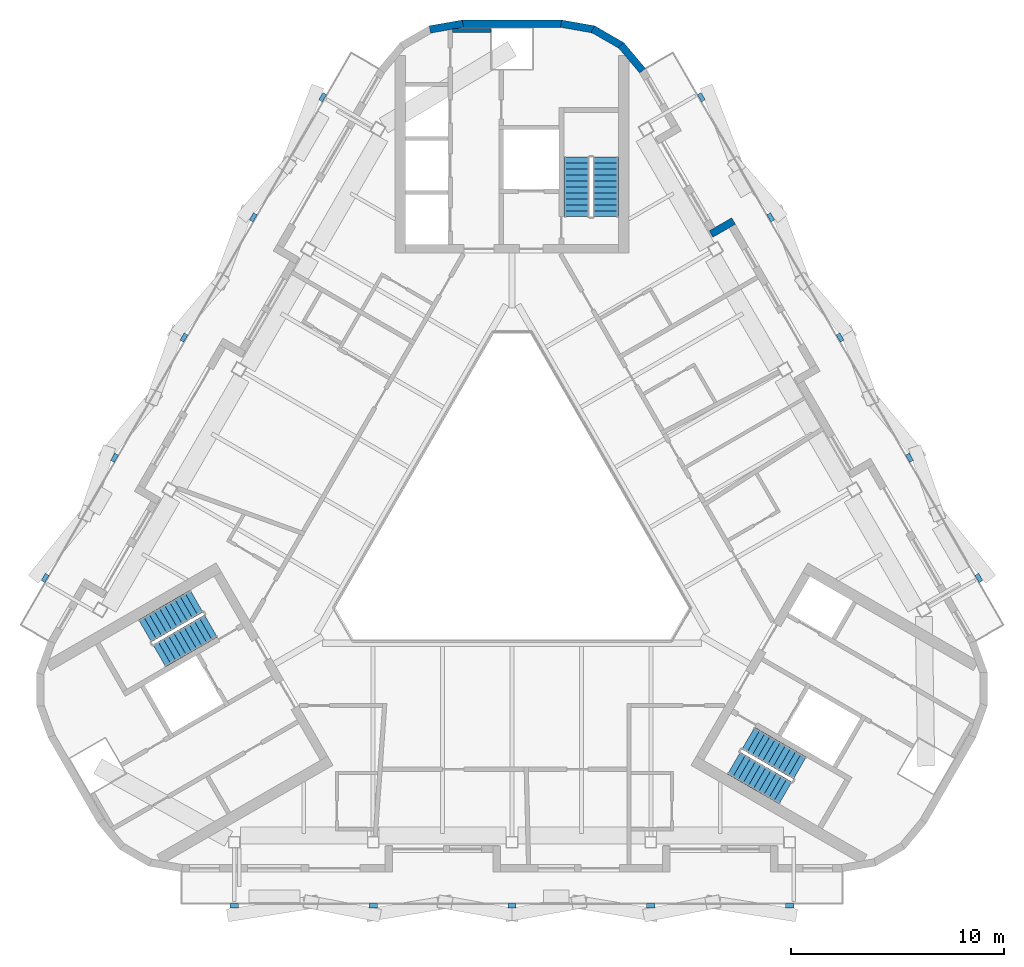
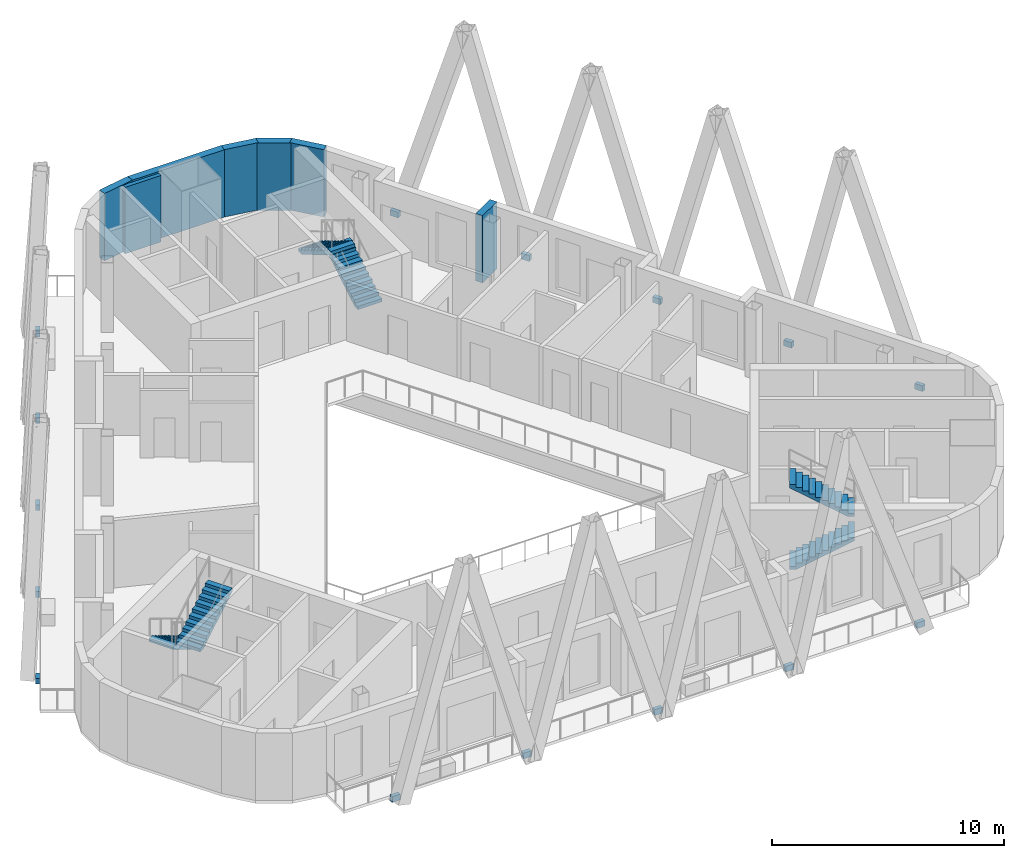
# One storey, part 7 of 11: 15 discrete accessories, 7 walls, 6 stair flights, 3 elements without a shape of their own.
"""IFC4 building model written with IfcOpenShell, lengths in metres."""

import ifcopenshell
import ifcopenshell.guid

model = None  # the IFC model being written
_history = None  # IfcOwnerHistory: only IFC2X3 demands one
_inside = {}  # id of a spatial element -> (the spatial element, [elements in it])
_under = {}  # id of a project, library or spatial element -> (it, [spatial elements below it])
_declared = {}  # id of a project -> (the project, [libraries it declares])
_typed = {}  # id of a type object -> (the type object, [elements of that type])
_made_of = {}  # id of a material, layer set ... -> (it, [elements and type objects made of it])


def new_model(schema):
    """Start an empty IFC model of exactly this schema.

    Asked for "IFC4X3", IfcOpenShell would pick the latest addendum, in which some entities
    have other attributes; the version numbers below select the first issue.
    IFC2X3 requires an IfcOwnerHistory on every rooted entity: one is made here for all.
    """
    global model, _history
    if schema == "IFC4X3":
        model = ifcopenshell.file(schema_version=(4, 3, 0, 0))
    else:
        model = ifcopenshell.file(schema=schema)
    _inside.clear()
    _under.clear()
    _declared.clear()
    _typed.clear()
    _made_of.clear()
    _history = None
    if model.schema == "IFC2X3":
        org = make("IfcOrganization", Name="unknown")
        user = make(
            "IfcPersonAndOrganization",
            ThePerson=make("IfcPerson", FamilyName="unknown"),
            TheOrganization=org,
        )
        app = make(
            "IfcApplication",
            ApplicationDeveloper=org,
            Version="unknown",
            ApplicationFullName="unknown",
            ApplicationIdentifier="unknown",
        )
        _history = make(
            "IfcOwnerHistory",
            OwningUser=user,
            OwningApplication=app,
            ChangeAction="ADDED",
            CreationDate=0,
        )
    return model


def make(cls, **values):
    """One entity of the class cls with the attributes given. An attribute that is None is left unset."""
    return model.create_entity(
        cls, **{name: value for name, value in values.items() if value is not None}
    )


def rooted(cls, **values):
    """An entity with a GlobalId (a new one), such as an element, a storey or a relation."""
    return make(cls, GlobalId=ifcopenshell.guid.new(), OwnerHistory=_history, **values)


def si_unit(unit_type, name, prefix=None):
    """IfcSIUnit, for example si_unit("LENGTHUNIT", "METRE", prefix="MILLI")."""
    return make("IfcSIUnit", UnitType=unit_type, Prefix=prefix, Name=name)


def assignment(units):
    """IfcUnitAssignment: the units of a project."""
    return None if units is None else make("IfcUnitAssignment", Units=units)


def point(xyz):
    """IfcCartesianPoint."""
    return None if xyz is None else make("IfcCartesianPoint", Coordinates=xyz)


def direction(xyz):
    """IfcDirection."""
    return None if xyz is None else make("IfcDirection", DirectionRatios=xyz)


def frame(location, z_axis=None, x_axis=None):
    """IfcAxis2Placement3D, a coordinate frame: its origin and axes. An axis left out is left unset."""
    return make(
        "IfcAxis2Placement3D",
        Location=point(location),
        Axis=direction(z_axis),
        RefDirection=direction(x_axis),
    )


def frame_2d(location, x_axis=None):
    """IfcAxis2Placement2D, a coordinate frame in the plane: its origin and x axis."""
    return make(
        "IfcAxis2Placement2D", Location=point(location), RefDirection=direction(x_axis)
    )


def origin():
    """The frame at (0, 0, 0) with its axes left unset."""
    return frame((0.0, 0.0, 0.0))


def origin_2d():
    """The frame at (0, 0) in the plane with its x axis left unset."""
    return frame_2d((0.0, 0.0))


def place(relative_to, where):
    """IfcLocalPlacement: puts the frame where relative to a parent placement (None: the world)."""
    return make(
        "IfcLocalPlacement", PlacementRelTo=relative_to, RelativePlacement=where
    )


def context(
    kind, dimensions, precision=None, world=None, true_north=None, identifier=None
):
    """IfcGeometricRepresentationContext, for example the 3D "Model" context."""
    return make(
        "IfcGeometricRepresentationContext",
        ContextIdentifier=identifier,
        ContextType=kind,
        CoordinateSpaceDimension=dimensions,
        Precision=precision,
        WorldCoordinateSystem=world,
        TrueNorth=true_north,
    )


def subcontext(parent, identifier, kind, view, scale=None):
    """IfcGeometricRepresentationSubContext, for example "Body" below "Model"."""
    return make(
        "IfcGeometricRepresentationSubContext",
        ContextIdentifier=identifier,
        ContextType=kind,
        ParentContext=parent,
        TargetScale=scale,
        TargetView=view,
    )


def project(units=None, contexts=None):
    """IfcProject with its units and contexts."""
    return rooted(
        "IfcProject",
        Name="project",
        RepresentationContexts=contexts,
        UnitsInContext=assignment(units),
    )


def spatial(cls, under=None, at=None, **own):
    """A site, building, storey or space (cls), placed at a placement, below another one or the project."""
    s = rooted(cls, ObjectPlacement=at, **own)
    if under is not None:
        _under.setdefault(under.id(), (under, []))[1].append(s)
    return s


def polyline(points):
    """IfcPolyline through the points."""
    return make("IfcPolyline", Points=[point(p) for p in points])


def profile(cls, at=None, kind="AREA", **sizes):
    """A parametric profile (cls). Its sizes go by their IFC names, for example OverallWidth=200.0."""
    return make(cls, ProfileType=kind, Position=at, **sizes)


def rectangle(**sizes):
    """IfcRectangleProfileDef."""
    return profile("IfcRectangleProfileDef", **sizes)


def outline(outer, holes=None, kind="AREA"):
    """IfcArbitraryClosedProfileDef: a profile drawn as a closed curve; with holes, ...WithVoids."""
    if holes is None:
        return make("IfcArbitraryClosedProfileDef", ProfileType=kind, OuterCurve=outer)
    return make(
        "IfcArbitraryProfileDefWithVoids",
        ProfileType=kind,
        OuterCurve=outer,
        InnerCurves=holes,
    )


def extrude(swept, where, along, depth):
    """IfcExtrudedAreaSolid: the profile swept, set in the frame where, extruded along a direction by depth."""
    return make(
        "IfcExtrudedAreaSolid",
        SweptArea=swept,
        Position=where,
        ExtrudedDirection=direction(along),
        Depth=depth,
    )


def shape(context_of_items, identifier, shape_type, items):
    """IfcShapeRepresentation: the items that make up one representation, for example the "Body"."""
    return make(
        "IfcShapeRepresentation",
        ContextOfItems=context_of_items,
        RepresentationIdentifier=identifier,
        RepresentationType=shape_type,
        Items=items,
    )


def material(Name=None, Category=None):
    """IfcMaterial."""
    return make("IfcMaterial", Name=Name, Category=Category)


def layer(
    of_material, thickness, ventilated=None, Name=None, Category=None, Priority=None
):
    """IfcMaterialLayer: one layer of a wall or slab, of a material (None: an air gap)."""
    return make(
        "IfcMaterialLayer",
        Material=of_material,
        LayerThickness=thickness,
        IsVentilated=ventilated,
        Name=Name,
        Category=Category,
        Priority=Priority,
    )


def layer_set(layers, Name=None):
    """IfcMaterialLayerSet."""
    return make("IfcMaterialLayerSet", MaterialLayers=layers, LayerSetName=Name)


def made_of(thing, what):
    """Note that an element or type object is made of a material, layer set ...; save() writes the relation."""
    if what is not None:
        _made_of.setdefault(what.id(), (what, []))[1].append(thing)
    return thing


def type_object(cls, material=None, **own):
    """A type object (cls), such as IfcWallType, which elements share."""
    return made_of(rooted(cls, **own), material)


def element(
    cls,
    number,
    at=None,
    inside=None,
    cuts=None,
    type_object=None,
    material=None,
    context=None,
    identifier="Body",
    shape_type=None,
    held_by="IfcProductDefinitionShape",
    body=None,
    shapes=None,
    **own,
):
    """One element of the class cls, such as IfcWall. Its Tag is "e" and its number.

    at: its placement. inside: the storey or other place that contains it. cuts: it is an
    opening in that element (IfcRelVoidsElement). A single representation is given by context,
    identifier, shape_type and body (its items); several are given by shapes. held_by: the class
    of the entity that holds the representations. save() writes the other relations.
    """
    e = rooted(cls, Tag="e%d" % number, ObjectPlacement=at, **own)
    if body is not None:
        shapes = [shape(context, identifier, shape_type, body)]
    if shapes is not None:
        e.Representation = make(held_by, Representations=shapes)
    if inside is not None:
        _inside.setdefault(inside.id(), (inside, []))[1].append(e)
    if cuts is not None:
        rooted(
            "IfcRelVoidsElement", RelatingBuildingElement=cuts, RelatedOpeningElement=e
        )
    if type_object is not None:
        _typed.setdefault(type_object.id(), (type_object, []))[1].append(e)
    return made_of(e, material)


def aggregate(whole, parts):
    """IfcRelAggregates: a whole, such as a stair, and the parts it consists of."""
    return rooted("IfcRelAggregates", RelatingObject=whole, RelatedObjects=parts)


def save(model, path):
    """Write the relations noted so far, then the file.

    IfcRelAggregates (storeys below a building ...), IfcRelContainedInSpatialStructure (elements
    in a storey), IfcRelDefinesByType, IfcRelAssociatesMaterial and IfcRelDeclares: one each for
    every whole, place, type object, material and project.
    """
    for whole, parts in _under.values():
        aggregate(whole, parts)
    for where, things in _inside.values():
        rooted(
            "IfcRelContainedInSpatialStructure",
            RelatedElements=things,
            RelatingStructure=where,
        )
    for kind, things in _typed.values():
        rooted("IfcRelDefinesByType", RelatedObjects=things, RelatingType=kind)
    for what, things in _made_of.values():
        rooted("IfcRelAssociatesMaterial", RelatedObjects=things, RelatingMaterial=what)
    for by, libraries in _declared.values():
        rooted("IfcRelDeclares", RelatingContext=by, RelatedDefinitions=libraries)
    model.write(path)


model = new_model("IFC4")

# Units and contexts
model_context = context("Model", 3, precision=1e-05, world=origin(), true_north=direction((0.0, 1.0)))
body_context = subcontext(model_context, "Body", "Model", "MODEL_VIEW")
ifc_project = project(units=[si_unit("LENGTHUNIT", "METRE"), si_unit("AREAUNIT", "SQUARE_METRE"), si_unit("VOLUMEUNIT", "CUBIC_METRE"), si_unit("PLANEANGLEUNIT", "RADIAN"), si_unit("MASSUNIT", "GRAM", prefix="KILO")], contexts=[model_context])

# Site, building, storey
site_placement = place(None, origin())
site = spatial("IfcSite", under=ifc_project, at=site_placement, CompositionType="ELEMENT")
building_placement = place(site_placement, origin())
building = spatial("IfcBuilding", under=site, at=building_placement, Name="Apuvela Tower Hotel", CompositionType="ELEMENT")
storey_placement = place(building_placement, frame((0.0, 0.0, 313.300048828125)))
storey = spatial("IfcBuildingStorey", under=building, at=storey_placement, Name="L78", CompositionType="ELEMENT", Elevation=313.300048828125)

# Walls
ifc_material_1 = material(Name="Concrete C50/60", Category="concrete")
ifc_layer_1 = layer(ifc_material_1, 0.199951171875)
ifc_layer_set_1 = layer_set([ifc_layer_1], Name="COR-WALL-SHAFT-200")
wall_type_1 = type_object("IfcWallType", Name="COR-WALL-SHAFT-200", PredefinedType="SHEAR", material=ifc_layer_set_1)
wall_1_placement = place(storey_placement, frame((-1.0, 23.360107421875, 0.0), z_axis=(0.0, 0.0, 1.0), x_axis=(-1.0, 0.0, 0.0)))
element("IfcWall", 1, at=wall_1_placement, inside=storey, type_object=wall_type_1, Name="Shaft wall N", PredefinedType="SHEAR", context=body_context, shape_type="SweptSolid", body=[
    extrude(rectangle(XDim=1.800048828125, YDim=0.199951171875, at=frame_2d((0.89990234375, 0.0))), origin(), (0.0, 0.0, 1.0), 3.5),
])
ifc_material_2 = material(Name="Concrete C40/50, dark pigmented precast panel", Category="concrete")
ifc_layer_2 = layer(ifc_material_2, 0.35009765625)
ifc_layer_set_2 = layer_set([ifc_layer_2], Name="ENV-WALL-350")
wall_type_2 = type_object("IfcWallType", Name="ENV-WALL-350", PredefinedType="SOLIDWALL", material=ifc_layer_set_2)
wall_2_placement = place(storey_placement, frame((10.425537109375, 14.3974609375, 0.0), z_axis=(0.0, 0.0, 1.0), x_axis=(-0.866005645448, -0.500034220881, 0.0)))
element("IfcWall", 2, at=wall_2_placement, inside=storey, type_object=wall_type_2, Name="External wall L78-38", PredefinedType="SOLIDWALL", context=body_context, shape_type="SweptSolid", body=[
    extrude(rectangle(XDim=1.22021484375, YDim=0.35009765625, at=frame_2d((0.610107421875, 0.0))), origin(), (0.0, 0.0, 1.0), 3.550048828125),
])
for number, where, z_axis, x_axis, name in (
    (3, (6.14208984375, 21.4716796875, 0.0), (0.0, 0.0, 1.0), (-0.642720587594, 0.766100676336, 0.0), "External wall L78-42"),
    (4, (5.173583984375, 22.642333984375, 0.0), (0.0, 0.0, 1.0), (-0.866007919525, 0.500030282404, 0.0), "External wall L78-43"),
):
    element("IfcWall", number, at=place(storey_placement, frame(where, z_axis=z_axis, x_axis=x_axis)), inside=storey, type_object=wall_type_2, Name=name, PredefinedType="SOLIDWALL", context=body_context, shape_type="SweptSolid", body=[
        extrude(rectangle(XDim=1.5791015625, YDim=0.35009765625, at=frame_2d((0.78955078125, 0.0))), origin(), (0.0, 0.0, 1.0), 3.550048828125),
    ])
wall_3_placement = place(storey_placement, frame((3.86328125, 23.410888671875, 0.0), z_axis=(0.0, 0.0, 1.0), x_axis=(-0.98478200219, 0.173794154571, 0.0)))
element("IfcWall", 5, at=wall_3_placement, inside=storey, type_object=wall_type_2, Name="External wall L78-44", PredefinedType="SOLIDWALL", context=body_context, shape_type="SweptSolid", body=[
    extrude(rectangle(XDim=1.578857421875, YDim=0.35009765625, at=frame_2d((0.78955078125, 0.0))), origin(), (0.0, 0.0, 1.0), 3.550048828125),
])
wall_4_placement = place(storey_placement, frame((2.338623046875, 23.6826171875, 0.0), z_axis=(0.0, 0.0, 1.0), x_axis=(-1.0, 0.0, 0.0)))
element("IfcWall", 6, at=wall_4_placement, inside=storey, type_object=wall_type_2, Name="External wall L78-45", PredefinedType="SOLIDWALL", context=body_context, shape_type="SweptSolid", body=[
    extrude(rectangle(XDim=4.67724609375, YDim=0.35009765625, at=frame_2d((2.338623046875, 0.0))), origin(), (0.0, 0.0, 1.0), 3.550048828125),
])
wall_5_placement = place(storey_placement, frame((-2.308349609375, 23.685302734375, 0.0), z_axis=(0.0, 0.0, 1.0), x_axis=(-0.98478200219, -0.173794154571, 0.0)))
element("IfcWall", 7, at=wall_5_placement, inside=storey, type_object=wall_type_2, Name="External wall L78-46", PredefinedType="SOLIDWALL", context=body_context, shape_type="SweptSolid", body=[
    extrude(rectangle(XDim=1.578857421875, YDim=0.35009765625, at=frame_2d((0.78955078125, 0.0))), origin(), (0.0, 0.0, 1.0), 3.550048828125),
])

# Stair, stair flights
stair_type = type_object("IfcStairType", Name="COR-STAIR-22R", PredefinedType="HALF_TURN_STAIR", material=ifc_material_1)
stair_1_placement = place(storey_placement, origin())
stair_1 = element("IfcStair", 8, at=stair_1_placement, inside=storey, type_object=stair_type, Name="L78 Exit stair ST1", PredefinedType="HALF_TURN_STAIR")
stair_flight_type = type_object("IfcStairFlightType", Name="COR-FLIGHT-11R", PredefinedType="STRAIGHT", material=ifc_material_1)
stair_flight_1_placement = place(storey_placement, frame((4.39990234375, 14.60009765625, 0.0), z_axis=(0.0, 0.0, 1.0), x_axis=(0.0, 1.0, 0.0)))
stair_flight_1 = element("IfcStairFlight", 9, at=stair_flight_1_placement, type_object=stair_flight_type, Name="ST1 flight 1", NumberOfRisers=11, NumberOfTreads=10, PredefinedType="STRAIGHT", RiserHeight=0.168181818, TreadLength=0.28, context=body_context, shape_type="SweptSolid", body=[
    extrude(outline(polyline([(0.0, 0.0), (0.0, 0.168212890625), (0.280029296875, 0.168212890625), (0.280029296875, 0.33642578125), (0.56005859375, 0.33642578125), (0.56005859375, 0.504638671875), (0.840087890625, 0.504638671875), (0.840087890625, 0.672607421875), (1.1201171875, 0.672607421875), (1.1201171875, 0.8408203125), (1.39990234375, 0.8408203125), (1.39990234375, 1.009033203125), (1.679931640625, 1.009033203125), (1.679931640625, 1.17724609375), (1.9599609375, 1.17724609375), (1.9599609375, 1.345458984375), (2.239990234375, 1.345458984375), (2.239990234375, 1.513671875), (2.52001953125, 1.513671875), (2.52001953125, 1.681884765625), (2.800048828125, 1.681884765625), (2.800048828125, 1.85009765625), (2.800048828125, 1.5068359375), (0.291015625, 0.0), (0.0, 0.0)])), frame((0.0, 0.60009765625, 0.0), z_axis=(0.0, -1.0, 0.0), x_axis=(1.0, 0.0, 0.0)), (0.0, 0.0, 1.0), 1.199951171875),
])
stair_flight_2_placement = place(storey_placement, frame((3.050048828125, 17.39990234375, 1.849853515625), z_axis=(0.0, 0.0, 1.0), x_axis=(0.0, -1.0, 0.0)))
stair_flight_2 = element("IfcStairFlight", 10, at=stair_flight_2_placement, type_object=stair_flight_type, Name="ST1 flight 2", NumberOfRisers=11, NumberOfTreads=10, PredefinedType="STRAIGHT", RiserHeight=0.168181818, TreadLength=0.28, context=body_context, shape_type="SweptSolid", body=[
    extrude(outline(polyline([(0.0, 0.0), (0.0, 0.168212890625), (0.280029296875, 0.168212890625), (0.280029296875, 0.33642578125), (0.56005859375, 0.33642578125), (0.56005859375, 0.504638671875), (0.840087890625, 0.504638671875), (0.840087890625, 0.672607421875), (1.1201171875, 0.672607421875), (1.1201171875, 0.8408203125), (1.39990234375, 0.8408203125), (1.39990234375, 1.009033203125), (1.679931640625, 1.009033203125), (1.679931640625, 1.17724609375), (1.9599609375, 1.17724609375), (1.9599609375, 1.345458984375), (2.239990234375, 1.345458984375), (2.239990234375, 1.513671875), (2.52001953125, 1.513671875), (2.52001953125, 1.681884765625), (2.800048828125, 1.681884765625), (2.800048828125, 1.85009765625), (2.800048828125, 1.5068359375), (0.291015625, 0.0), (0.0, 0.0)])), frame((0.0, 0.60009765625, 0.0), z_axis=(0.0, -1.0, 0.0), x_axis=(1.0, 0.0, 0.0)), (0.0, 0.0, 1.0), 1.199951171875),
])
aggregate(stair_1, [stair_flight_1, stair_flight_2])

stair_2_placement = place(storey_placement, origin())
stair_2 = element("IfcStair", 11, at=stair_2_placement, inside=storey, type_object=stair_type, Name="L78 Exit stair ST2", PredefinedType="HALF_TURN_STAIR")
stair_flight_3_placement = place(storey_placement, frame((-14.843994140625, -3.489501953125, 0.0), z_axis=(0.0, 0.0, 1.0), x_axis=(-0.866025403784, -0.5, 0.0)))
stair_flight_3 = element("IfcStairFlight", 12, at=stair_flight_3_placement, type_object=stair_flight_type, Name="ST2 flight 1", NumberOfRisers=11, NumberOfTreads=10, PredefinedType="STRAIGHT", RiserHeight=0.168181818, TreadLength=0.28, context=body_context, shape_type="SweptSolid", body=[
    extrude(outline(polyline([(0.0, 0.0), (0.0, 0.168212890625), (0.280029296875, 0.168212890625), (0.280029296875, 0.33642578125), (0.56005859375, 0.33642578125), (0.56005859375, 0.504638671875), (0.840087890625, 0.504638671875), (0.840087890625, 0.672607421875), (1.1201171875, 0.672607421875), (1.1201171875, 0.8408203125), (1.39990234375, 0.8408203125), (1.39990234375, 1.009033203125), (1.679931640625, 1.009033203125), (1.679931640625, 1.17724609375), (1.9599609375, 1.17724609375), (1.9599609375, 1.345458984375), (2.239990234375, 1.345458984375), (2.239990234375, 1.513671875), (2.52001953125, 1.513671875), (2.52001953125, 1.681884765625), (2.800048828125, 1.681884765625), (2.800048828125, 1.85009765625), (2.800048828125, 1.5068359375), (0.291015625, 0.0), (0.0, 0.0)])), frame((0.0, 0.60009765625, 0.0), z_axis=(0.0, -1.0, 0.0), x_axis=(1.0, 0.0, 0.0)), (0.0, 0.0, 1.0), 1.199951171875),
])
stair_flight_4_placement = place(storey_placement, frame((-16.59375, -6.05859375, 1.849853515625), z_axis=(0.0, 0.0, 1.0), x_axis=(0.866025403784, 0.5, 0.0)))
stair_flight_4 = element("IfcStairFlight", 13, at=stair_flight_4_placement, type_object=stair_flight_type, Name="ST2 flight 2", NumberOfRisers=11, NumberOfTreads=10, PredefinedType="STRAIGHT", RiserHeight=0.168181818, TreadLength=0.28, context=body_context, shape_type="SweptSolid", body=[
    extrude(outline(polyline([(0.0, 0.0), (0.0, 0.168212890625), (0.280029296875, 0.168212890625), (0.280029296875, 0.33642578125), (0.56005859375, 0.33642578125), (0.56005859375, 0.504638671875), (0.840087890625, 0.504638671875), (0.840087890625, 0.672607421875), (1.1201171875, 0.672607421875), (1.1201171875, 0.8408203125), (1.39990234375, 0.8408203125), (1.39990234375, 1.009033203125), (1.679931640625, 1.009033203125), (1.679931640625, 1.17724609375), (1.9599609375, 1.17724609375), (1.9599609375, 1.345458984375), (2.239990234375, 1.345458984375), (2.239990234375, 1.513671875), (2.52001953125, 1.513671875), (2.52001953125, 1.681884765625), (2.800048828125, 1.681884765625), (2.800048828125, 1.85009765625), (2.800048828125, 1.5068359375), (0.291015625, 0.0), (0.0, 0.0)])), frame((0.0, 0.60009765625, 0.0), z_axis=(0.0, -1.0, 0.0), x_axis=(1.0, 0.0, 0.0)), (0.0, 0.0, 1.0), 1.199951171875),
])
aggregate(stair_2, [stair_flight_3, stair_flight_4])

stair_3_placement = place(storey_placement, origin())
stair_3 = element("IfcStair", 14, at=stair_3_placement, inside=storey, type_object=stair_type, Name="L78 Exit stair ST3", PredefinedType="HALF_TURN_STAIR")
stair_flight_5_placement = place(storey_placement, frame((10.444091796875, -11.110595703125, 0.0), z_axis=(0.0, 0.0, 1.0), x_axis=(0.866025403784, -0.5, 0.0)))
stair_flight_5 = element("IfcStairFlight", 15, at=stair_flight_5_placement, type_object=stair_flight_type, Name="ST3 flight 1", NumberOfRisers=11, NumberOfTreads=10, PredefinedType="STRAIGHT", RiserHeight=0.168181818, TreadLength=0.28, context=body_context, shape_type="SweptSolid", body=[
    extrude(outline(polyline([(0.0, 0.0), (0.0, 0.168212890625), (0.280029296875, 0.168212890625), (0.280029296875, 0.33642578125), (0.56005859375, 0.33642578125), (0.56005859375, 0.504638671875), (0.840087890625, 0.504638671875), (0.840087890625, 0.672607421875), (1.1201171875, 0.672607421875), (1.1201171875, 0.8408203125), (1.39990234375, 0.8408203125), (1.39990234375, 1.009033203125), (1.679931640625, 1.009033203125), (1.679931640625, 1.17724609375), (1.9599609375, 1.17724609375), (1.9599609375, 1.345458984375), (2.239990234375, 1.345458984375), (2.239990234375, 1.513671875), (2.52001953125, 1.513671875), (2.52001953125, 1.681884765625), (2.800048828125, 1.681884765625), (2.800048828125, 1.85009765625), (2.800048828125, 1.5068359375), (0.291015625, 0.0), (0.0, 0.0)])), frame((0.0, 0.60009765625, 0.0), z_axis=(0.0, -1.0, 0.0), x_axis=(1.0, 0.0, 0.0)), (0.0, 0.0, 1.0), 1.199951171875),
])
stair_flight_6_placement = place(storey_placement, frame((13.5439453125, -11.34130859375, 1.849853515625), z_axis=(0.0, 0.0, 1.0), x_axis=(-0.866025403784, 0.5, 0.0)))
stair_flight_6 = element("IfcStairFlight", 16, at=stair_flight_6_placement, type_object=stair_flight_type, Name="ST3 flight 2", NumberOfRisers=11, NumberOfTreads=10, PredefinedType="STRAIGHT", RiserHeight=0.168181818, TreadLength=0.28, context=body_context, shape_type="SweptSolid", body=[
    extrude(outline(polyline([(0.0, 0.0), (0.0, 0.168212890625), (0.280029296875, 0.168212890625), (0.280029296875, 0.33642578125), (0.56005859375, 0.33642578125), (0.56005859375, 0.504638671875), (0.840087890625, 0.504638671875), (0.840087890625, 0.672607421875), (1.1201171875, 0.672607421875), (1.1201171875, 0.8408203125), (1.39990234375, 0.8408203125), (1.39990234375, 1.009033203125), (1.679931640625, 1.009033203125), (1.679931640625, 1.17724609375), (1.9599609375, 1.17724609375), (1.9599609375, 1.345458984375), (2.239990234375, 1.345458984375), (2.239990234375, 1.513671875), (2.52001953125, 1.513671875), (2.52001953125, 1.681884765625), (2.800048828125, 1.681884765625), (2.800048828125, 1.85009765625), (2.800048828125, 1.5068359375), (0.291015625, 0.0), (0.0, 0.0)])), frame((0.0, 0.60009765625, 0.0), z_axis=(0.0, -1.0, 0.0), x_axis=(1.0, 0.0, 0.0)), (0.0, 0.0, 1.0), 1.199951171875),
])
aggregate(stair_3, [stair_flight_5, stair_flight_6])

# Discrete accessories
ifc_material_3 = material(Name="Steel S355, black paint system", Category="steel")
discrete_accessory_type = type_object("IfcDiscreteAccessoryType", Name="ENV-FIN-BRACKET", PredefinedType="BRACKET", material=ifc_material_3)
for number, where, z_axis, x_axis, name in (
    (17, (21.9697265625, -2.397705078125, -0.25), (0.0, 0.0, 1.0), (-0.5, 0.866025403784, 0.0), "Fin bracket NE137"),
    (18, (18.704345703125, 3.258056640625, -0.25), (0.0, 0.0, 1.0), (-0.5, 0.866025403784, 0.0), "Fin bracket NE138"),
    (19, (15.43896484375, 8.913818359375, -0.25), (0.0, 0.0, 1.0), (-0.5, 0.866025403784, 0.0), "Fin bracket NE139"),
    (20, (12.173583984375, 14.569580078125, -0.25), (0.0, 0.0, 1.0), (-0.5, 0.866025403784, 0.0), "Fin bracket NE140"),
    (21, (8.908447265625, 20.22509765625, -0.25), (0.0, 0.0, 1.0), (-0.5, 0.866025403784, 0.0), "Fin bracket NE141"),
    (22, (-8.908447265625, 20.22509765625, -0.25), (0.0, 0.0, 1.0), (-0.5, -0.866025403784, 0.0), "Fin bracket NW286"),
    (23, (-12.173583984375, 14.569580078125, -0.25), (0.0, 0.0, 1.0), (-0.5, -0.866025403784, 0.0), "Fin bracket NW287"),
    (24, (-15.43896484375, 8.913818359375, -0.25), (0.0, 0.0, 1.0), (-0.5, -0.866025403784, 0.0), "Fin bracket NW288"),
    (25, (-18.704345703125, 3.258056640625, -0.25), (0.0, 0.0, 1.0), (-0.5, -0.866025403784, 0.0), "Fin bracket NW289"),
    (26, (-21.9697265625, -2.397705078125, -0.25), (0.0, 0.0, 1.0), (-0.5, -0.866025403784, 0.0), "Fin bracket NW290"),
    (27, (-13.061279296875, -17.827392578125, -0.25), (0.0, 0.0, 1.0), (1.0, 0.0, 0.0), "Fin bracket S436"),
    (28, (-6.53076171875, -17.827392578125, -0.25), (0.0, 0.0, 1.0), (1.0, 0.0, 0.0), "Fin bracket S437"),
    (29, (0.0, -17.827392578125, -0.25), (0.0, 0.0, 1.0), (1.0, 0.0, 0.0), "Fin bracket S438"),
    (30, (6.53076171875, -17.827392578125, -0.25), (0.0, 0.0, 1.0), (1.0, 0.0, 0.0), "Fin bracket S439"),
    (31, (13.061279296875, -17.827392578125, -0.25), (0.0, 0.0, 1.0), (1.0, 0.0, 0.0), "Fin bracket S440"),
):
    element("IfcDiscreteAccessory", number, at=place(storey_placement, frame(where, z_axis=z_axis, x_axis=x_axis)), inside=storey, type_object=discrete_accessory_type, Name=name, PredefinedType="BRACKET", context=body_context, shape_type="SweptSolid", body=[
        extrude(rectangle(XDim=0.39990234375, YDim=0.199951171875, at=origin_2d()), origin(), (0.0, 0.0, 1.0), 0.300048828125),
    ])

save(model, "model.ifc")
